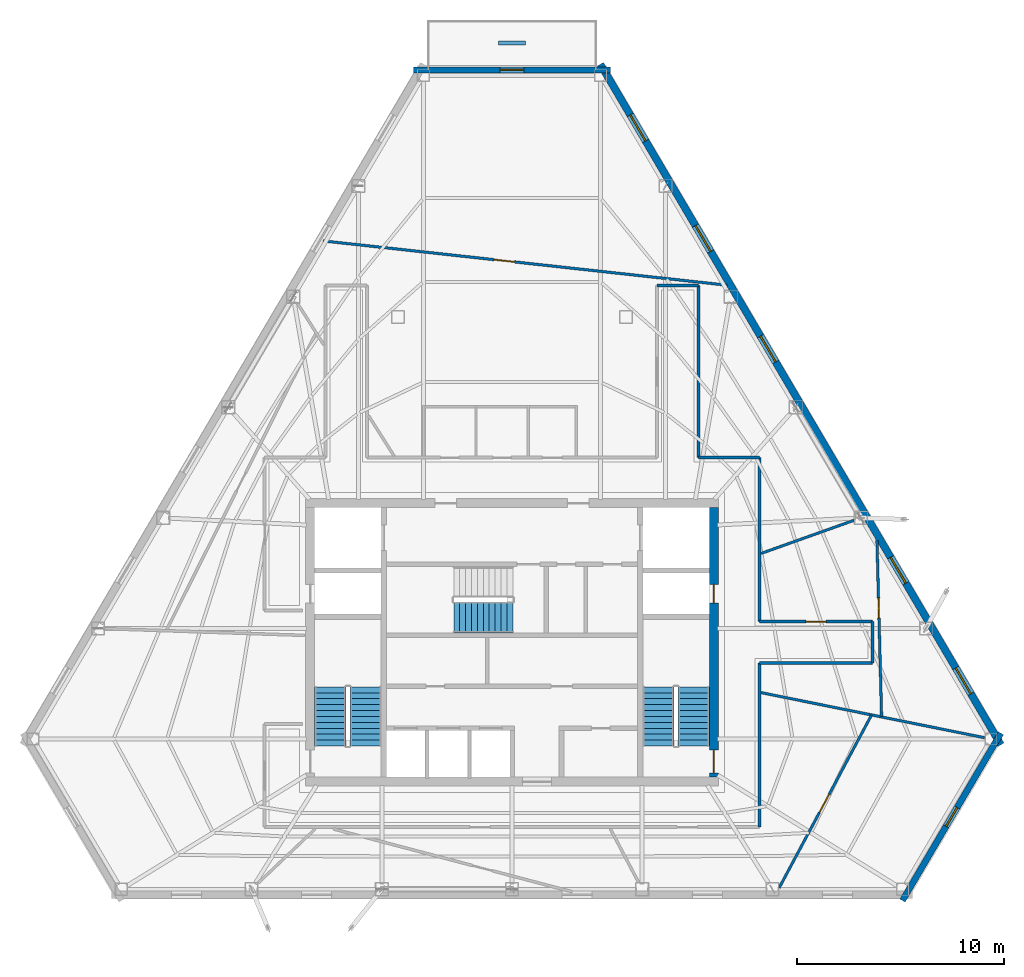
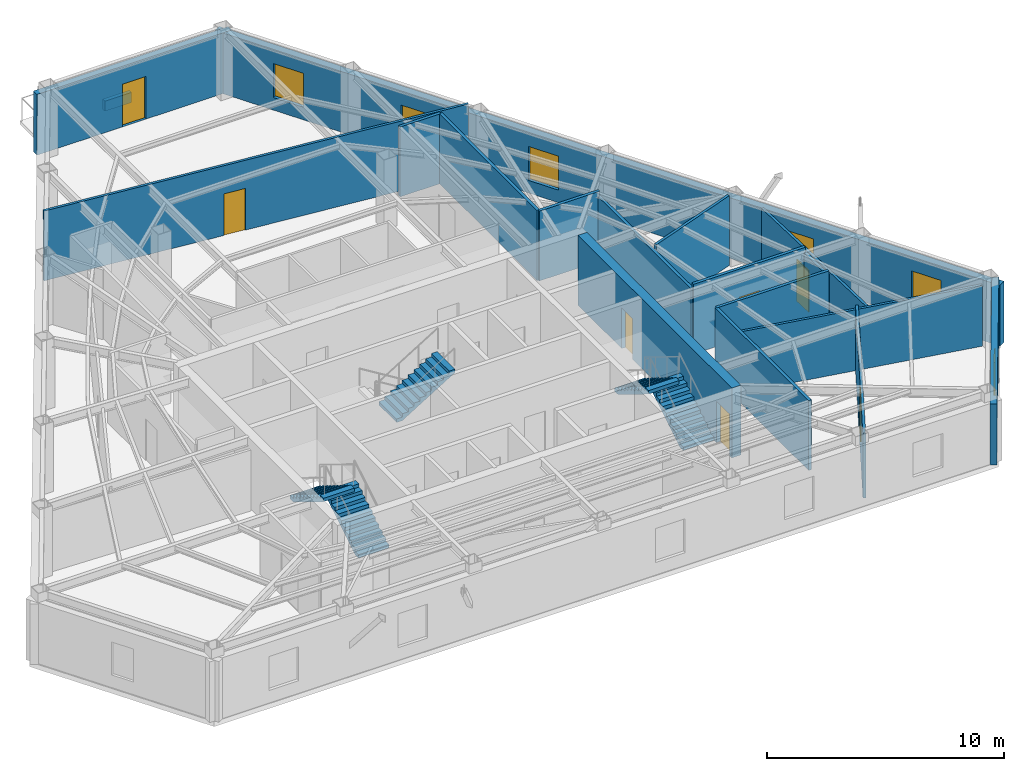
# One storey, part 9 of 12: 18 walls, 7 doors, 6 windows, 5 stair flights, 13 openings, 3 elements without a shape of their own.
"""IFC4 building model written with IfcOpenShell, lengths in metres."""

from ifc_helpers import new_model, si_unit, direction, frame, frame_2d, origin, place, context, subcontext, project, spatial, polyline, rectangle, outline, extrude, material, layer, layer_set, type_object, element, fill, aggregate, save


model = new_model("IFC4")

# Units and contexts
model_context = context("Model", 3, precision=1e-05, world=origin(), true_north=direction((0.0, 1.0)))
body_context = subcontext(model_context, "Body", "Model", "MODEL_VIEW")
ifc_project = project(units=[si_unit("LENGTHUNIT", "METRE"), si_unit("AREAUNIT", "SQUARE_METRE"), si_unit("VOLUMEUNIT", "CUBIC_METRE"), si_unit("PLANEANGLEUNIT", "RADIAN"), si_unit("MASSUNIT", "GRAM", prefix="KILO")], contexts=[model_context])

# Site, building, storey
site_placement = place(None, origin())
site = spatial("IfcSite", under=ifc_project, at=site_placement, CompositionType="ELEMENT")
building_placement = place(site_placement, origin())
building = spatial("IfcBuilding", under=site, at=building_placement, Name="Kavelnor Concourse Tower", CompositionType="ELEMENT")
storey_placement = place(building_placement, frame((0.0, 0.0, 203.5)))
storey = spatial("IfcBuildingStorey", under=building, at=storey_placement, Name="L51", CompositionType="ELEMENT", Elevation=203.5)

# Wall, openings, doors
ifc_material_1 = material(Name="Concrete C50/60", Category="concrete")
ifc_layer_1 = layer(ifc_material_1, 0.43994140625, Name="Concrete C50/60")
ifc_layer_set_1 = layer_set([ifc_layer_1], Name="Concrete C50/60")
wall_type_1 = type_object("IfcWallType", Name="WL-CORE-Z3-440", PredefinedType="SOLIDWALL", material=ifc_layer_set_1)
wall_1_placement = place(storey_placement, frame((47.739990234375, 9.60009765625, 0.0), z_axis=(0.0, 0.0, 1.0), x_axis=(0.0, 1.0, 0.0)))
wall_1 = element("IfcWall", 1, at=wall_1_placement, inside=storey, type_object=wall_type_1, Name="L51 Central Core East Shear Wall", PredefinedType="SOLIDWALL", context=body_context, shape_type="SweptSolid", body=[
    extrude(rectangle(XDim=13.0, YDim=0.43994140625, at=frame_2d((6.5, 0.0))), origin(), (0.0, 0.0, 1.0), 3.60009765625),
])
opening_1_placement = place(wall_1_placement, frame((0.199951171875, 0.0, 0.0)))
opening_1 = element("IfcOpeningElement", 2, at=opening_1_placement, cuts=wall_1, Name="Opening FD-110", PredefinedType="OPENING", context=body_context, shape_type="SweptSolid", body=[
    extrude(rectangle(XDim=1.10009765625, YDim=2.14990234375, at=frame_2d((0.550048828125, 1.074951171875))), frame((0.0, 0.22998046875, 0.0), z_axis=(0.0, -1.0, 0.0), x_axis=(1.0, 0.0, 0.0)), (0.0, 0.0, 1.0), 0.4599609375),
])
opening_2_placement = place(wall_1_placement, frame((8.39990234375, 0.0, 0.0)))
opening_2 = element("IfcOpeningElement", 3, at=opening_2_placement, cuts=wall_1, Name="Opening FD-090", PredefinedType="OPENING", context=body_context, shape_type="SweptSolid", body=[
    extrude(rectangle(XDim=0.89990234375, YDim=2.10009765625, at=frame_2d((0.449951171875, 1.050048828125))), frame((0.0, 0.22998046875, 0.0), z_axis=(0.0, -1.0, 0.0), x_axis=(1.0, 0.0, 0.0)), (0.0, 0.0, 1.0), 0.4599609375),
])
ifc_material_2 = material(Name="Steel Grade 350", Category="steel")
door_type_1 = type_object("IfcDoorType", Name="DR-RISER-FIRE-900", OperationType="NOTDEFINED", PredefinedType="DOOR", material=ifc_material_2)
door_1_placement = place(opening_2_placement, origin())
door_1 = element("IfcDoor", 4, at=door_1_placement, inside=storey, type_object=door_type_1, Name="L51 East Riser Access Door", OperationType="SINGLE_SWING_LEFT", OverallHeight=2.10009765625, OverallWidth=0.89990234375, PredefinedType="DOOR", context=body_context, shape_type="SweptSolid", body=[
    extrude(rectangle(XDim=0.89990234375, YDim=2.10009765625, at=frame_2d((0.449951171875, 1.050048828125))), frame((0.0, 0.02490234375, 0.0), z_axis=(0.0, -1.0, 0.0), x_axis=(1.0, 0.0, 0.0)), (0.0, 0.0, 1.0), 0.050048828125),
])
fill(opening_2, door_1)
door_type_2 = type_object("IfcDoorType", Name="DR-STAIR-FIRE-1100", OperationType="NOTDEFINED", PredefinedType="DOOR", material=ifc_material_2)
door_2_placement = place(opening_1_placement, origin())
door_2 = element("IfcDoor", 5, at=door_2_placement, inside=storey, type_object=door_type_2, Name="L51 Stair ST2 Fire Door", OperationType="SINGLE_SWING_RIGHT", OverallHeight=2.14990234375, OverallWidth=1.10009765625, PredefinedType="DOOR", context=body_context, shape_type="SweptSolid", body=[
    extrude(rectangle(XDim=1.10009765625, YDim=2.14990234375, at=frame_2d((0.550048828125, 1.074951171875))), frame((0.0, 0.02490234375, 0.0), z_axis=(0.0, -1.0, 0.0), x_axis=(1.0, 0.0, 0.0)), (0.0, 0.0, 1.0), 0.050048828125),
])
fill(opening_1, door_2)

# Wall, opening, door
ifc_material_3 = material(Name="Buff ironspot clay face brick masonry", Category="masonry")
ifc_layer_2 = layer(ifc_material_3, 0.300048828125, Name="Buff ironspot clay face brick masonry")
ifc_layer_set_2 = layer_set([ifc_layer_2], Name="Buff ironspot clay face brick masonry")
wall_type_2 = type_object("IfcWallType", Name="WL-EXT-BUFF-BRICK-FOLD-300", PredefinedType="STANDARD", material=ifc_layer_set_2)
wall_2_placement = place(storey_placement, frame((33.251220703125, 43.727783203125, 0.0), z_axis=(0.0, 0.0, 1.0), x_axis=(1.0, 0.0, 0.0)))
wall_2 = element("IfcWall", 6, at=wall_2_placement, inside=storey, type_object=wall_type_2, Name="L51 Exterior Brick Facade Wall E0", PredefinedType="STANDARD", context=body_context, shape_type="SweptSolid", body=[
    extrude(rectangle(XDim=9.49755859375, YDim=0.300048828125, at=frame_2d((4.748779296875, 0.0))), origin(), (0.0, 0.0, 1.0), 3.132080078125),
])
opening_3_placement = place(wall_2_placement, frame((4.173828125, 0.0, 0.0)))
opening_3 = element("IfcOpeningElement", 7, at=opening_3_placement, cuts=wall_2, Name="Opening TD-115", PredefinedType="OPENING", context=body_context, shape_type="SweptSolid", body=[
    extrude(rectangle(XDim=1.14990234375, YDim=2.199951171875, at=frame_2d((0.574951171875, 1.10009765625))), frame((0.0, 0.16015625, 0.0), z_axis=(0.0, -1.0, 0.0), x_axis=(1.0, 0.0, 0.0)), (0.0, 0.0, 1.0), 0.320068359375),
])
ifc_material_4 = material(Name="Anodised aluminium 6063-T6", Category="aluminium")
door_type_3 = type_object("IfcDoorType", Name="DR-TERRACE-EXT-1150", OperationType="NOTDEFINED", PredefinedType="DOOR", material=ifc_material_4)
door_3_placement = place(opening_3_placement, origin())
door_3 = element("IfcDoor", 8, at=door_3_placement, inside=storey, type_object=door_type_3, Name="L51 Spiral Sky Terrace Access Door", OperationType="SINGLE_SWING_RIGHT", OverallHeight=2.199951171875, OverallWidth=1.14990234375, PredefinedType="DOOR", context=body_context, shape_type="SweptSolid", body=[
    extrude(rectangle(XDim=1.14990234375, YDim=2.199951171875, at=frame_2d((0.574951171875, 1.10009765625))), frame((0.0, 0.02490234375, 0.0), z_axis=(0.0, -1.0, 0.0), x_axis=(1.0, 0.0, 0.0)), (0.0, 0.0, 1.0), 0.050048828125),
])
fill(opening_3, door_3)

# Wall, opening, window
wall_3_placement = place(storey_placement, frame((61.5947265625, 11.714599609375, 0.0), z_axis=(0.0, 0.0, 1.0), x_axis=(-0.507146520789, -0.861859853138, 0.0)))
wall_3 = element("IfcWall", 9, at=wall_3_placement, inside=storey, type_object=wall_type_2, Name="L51 Exterior Brick Facade Wall E4", PredefinedType="STANDARD", context=body_context, shape_type="SweptSolid", body=[
    extrude(rectangle(XDim=9.369384765625, YDim=0.300048828125, at=frame_2d((4.6845703125, 0.0))), origin(), (0.0, 0.0, 1.0), 3.132080078125),
])
opening_4_placement = place(wall_3_placement, frame((4.159912109375, 0.0, 0.64990234375)))
opening_4 = element("IfcOpeningElement", 10, at=opening_4_placement, cuts=wall_3, Name="Opening W-06", PredefinedType="OPENING", context=body_context, shape_type="SweptSolid", body=[
    extrude(rectangle(XDim=1.050048828125, YDim=1.699951171875, at=frame_2d((0.52490234375, 0.85009765625))), frame((0.0, 0.16015625, 0.0), z_axis=(0.0, -1.0, 0.0), x_axis=(1.0, 0.0, 0.0)), (0.0, 0.0, 1.0), 0.320068359375),
])
ifc_material_5 = material(Name="Double low-E argon insulated glazing", Category="glass")
window_type_1 = type_object("IfcWindowType", Name="WIN-FOLD-1050", PartitioningType="SINGLE_PANEL", PredefinedType="WINDOW", material=ifc_material_5)
window_1_placement = place(opening_4_placement, origin())
window_1 = element("IfcWindow", 11, at=window_1_placement, inside=storey, type_object=window_type_1, Name="L51 Chamfer-Fold Facet Window C2", OverallHeight=1.699951171875, OverallWidth=1.050048828125, PartitioningType="SINGLE_PANEL", PredefinedType="WINDOW", context=body_context, shape_type="SweptSolid", body=[
    extrude(rectangle(XDim=1.050048828125, YDim=1.699951171875, at=frame_2d((0.52490234375, 0.85009765625))), frame((0.0, 0.030029296875, 0.0), z_axis=(0.0, -1.0, 0.0), x_axis=(1.0, 0.0, 0.0)), (0.0, 0.0, 1.0), 0.06005859375),
])
fill(opening_4, window_1)

# Wall, openings, windows
ifc_material_6 = material(Name="Red-ochre clay face brick masonry", Category="masonry")
ifc_layer_3 = layer(ifc_material_6, 0.35009765625, Name="Red-ochre clay face brick masonry")
ifc_layer_set_3 = layer_set([ifc_layer_3], Name="Red-ochre clay face brick masonry")
wall_type_3 = type_object("IfcWallType", Name="WL-EXT-RED-BRICK-PIER-350", PredefinedType="STANDARD", material=ifc_layer_set_3)
wall_4_placement = place(storey_placement, frame((42.2666015625, 44.003662109375, 0.0), z_axis=(0.0, 0.0, 1.0), x_axis=(0.507147779291, -0.861859112593, 0.0)))
wall_4 = element("IfcWall", 12, at=wall_4_placement, inside=storey, type_object=wall_type_3, Name="L51 Exterior Brick Facade Wall E5", PredefinedType="STANDARD", context=body_context, shape_type="SweptSolid", body=[
    extrude(rectangle(XDim=38.111328125, YDim=0.35009765625, at=frame_2d((19.0556640625, 0.0))), origin(), (0.0, 0.0, 1.0), 3.132080078125),
])
opening_5_placement = place(wall_4_placement, frame((33.807861328125, 0.0, 0.64990234375)))
opening_5 = element("IfcOpeningElement", 13, at=opening_5_placement, cuts=wall_4, Name="Opening W-03", PredefinedType="OPENING", context=body_context, shape_type="SweptSolid", body=[
    extrude(rectangle(XDim=1.449951171875, YDim=1.75, at=frame_2d((0.72509765625, 0.875))), frame((0.0, 0.18505859375, 0.0), z_axis=(0.0, -1.0, 0.0), x_axis=(1.0, 0.0, 0.0)), (0.0, 0.0, 1.0), 0.3701171875),
])
opening_6_placement = place(wall_4_placement, frame((27.615478515625, 0.0, 0.64990234375)))
opening_6 = element("IfcOpeningElement", 14, at=opening_6_placement, cuts=wall_4, Name="Opening W-03", PredefinedType="OPENING", context=body_context, shape_type="SweptSolid", body=[
    extrude(rectangle(XDim=1.449951171875, YDim=1.75, at=frame_2d((0.72509765625, 0.875))), frame((0.0, 0.18505859375, 0.0), z_axis=(0.0, -1.0, 0.0), x_axis=(1.0, 0.0, 0.0)), (0.0, 0.0, 1.0), 0.3701171875),
])
opening_7_placement = place(wall_4_placement, frame((15.230712890625, 0.0, 0.64990234375)))
opening_7 = element("IfcOpeningElement", 15, at=opening_7_placement, cuts=wall_4, Name="Opening W-03", PredefinedType="OPENING", context=body_context, shape_type="SweptSolid", body=[
    extrude(rectangle(XDim=1.449951171875, YDim=1.75, at=frame_2d((0.72509765625, 0.875))), frame((0.0, 0.18505859375, 0.0), z_axis=(0.0, -1.0, 0.0), x_axis=(1.0, 0.0, 0.0)), (0.0, 0.0, 1.0), 0.3701171875),
])
opening_8_placement = place(wall_4_placement, frame((9.0380859375, 0.0, 0.64990234375)))
opening_8 = element("IfcOpeningElement", 16, at=opening_8_placement, cuts=wall_4, Name="Opening W-03", PredefinedType="OPENING", context=body_context, shape_type="SweptSolid", body=[
    extrude(rectangle(XDim=1.449951171875, YDim=1.75, at=frame_2d((0.72509765625, 0.875))), frame((0.0, 0.18505859375, 0.0), z_axis=(0.0, -1.0, 0.0), x_axis=(1.0, 0.0, 0.0)), (0.0, 0.0, 1.0), 0.3701171875),
])
opening_9_placement = place(wall_4_placement, frame((2.845703125, 0.0, 0.64990234375)))
opening_9 = element("IfcOpeningElement", 17, at=opening_9_placement, cuts=wall_4, Name="Opening W-03", PredefinedType="OPENING", context=body_context, shape_type="SweptSolid", body=[
    extrude(rectangle(XDim=1.449951171875, YDim=1.75, at=frame_2d((0.72509765625, 0.875))), frame((0.0, 0.18505859375, 0.0), z_axis=(0.0, -1.0, 0.0), x_axis=(1.0, 0.0, 0.0)), (0.0, 0.0, 1.0), 0.3701171875),
])
window_type_2 = type_object("IfcWindowType", Name="WIN-PIER-Z3-1500", PartitioningType="SINGLE_PANEL", PredefinedType="WINDOW", material=ifc_material_5)
window_2_placement = place(opening_5_placement, origin())
window_2 = element("IfcWindow", 18, at=window_2_placement, inside=storey, type_object=window_type_2, Name="L51 Deep-Set Brick Pier Window F2-B0", OverallHeight=1.75, OverallWidth=1.449951171875, PartitioningType="SINGLE_PANEL", PredefinedType="WINDOW", context=body_context, shape_type="SweptSolid", body=[
    extrude(rectangle(XDim=1.449951171875, YDim=1.75, at=frame_2d((0.72509765625, 0.875))), frame((0.0, 0.030029296875, 0.0), z_axis=(0.0, -1.0, 0.0), x_axis=(1.0, 0.0, 0.0)), (0.0, 0.0, 1.0), 0.06005859375),
])
fill(opening_5, window_2)
window_3_placement = place(opening_6_placement, origin())
window_3 = element("IfcWindow", 19, at=window_3_placement, inside=storey, type_object=window_type_2, Name="L51 Deep-Set Brick Pier Window F2-B1", OverallHeight=1.75, OverallWidth=1.449951171875, PartitioningType="SINGLE_PANEL", PredefinedType="WINDOW", context=body_context, shape_type="SweptSolid", body=[
    extrude(rectangle(XDim=1.449951171875, YDim=1.75, at=frame_2d((0.72509765625, 0.875))), frame((0.0, 0.030029296875, 0.0), z_axis=(0.0, -1.0, 0.0), x_axis=(1.0, 0.0, 0.0)), (0.0, 0.0, 1.0), 0.06005859375),
])
fill(opening_6, window_3)
window_4_placement = place(opening_7_placement, origin())
window_4 = element("IfcWindow", 20, at=window_4_placement, inside=storey, type_object=window_type_2, Name="L51 Deep-Set Brick Pier Window F2-B3", OverallHeight=1.75, OverallWidth=1.449951171875, PartitioningType="SINGLE_PANEL", PredefinedType="WINDOW", context=body_context, shape_type="SweptSolid", body=[
    extrude(rectangle(XDim=1.449951171875, YDim=1.75, at=frame_2d((0.72509765625, 0.875))), frame((0.0, 0.030029296875, 0.0), z_axis=(0.0, -1.0, 0.0), x_axis=(1.0, 0.0, 0.0)), (0.0, 0.0, 1.0), 0.06005859375),
])
fill(opening_7, window_4)
window_5_placement = place(opening_8_placement, origin())
window_5 = element("IfcWindow", 21, at=window_5_placement, inside=storey, type_object=window_type_2, Name="L51 Deep-Set Brick Pier Window F2-B4", OverallHeight=1.75, OverallWidth=1.449951171875, PartitioningType="SINGLE_PANEL", PredefinedType="WINDOW", context=body_context, shape_type="SweptSolid", body=[
    extrude(rectangle(XDim=1.449951171875, YDim=1.75, at=frame_2d((0.72509765625, 0.875))), frame((0.0, 0.030029296875, 0.0), z_axis=(0.0, -1.0, 0.0), x_axis=(1.0, 0.0, 0.0)), (0.0, 0.0, 1.0), 0.06005859375),
])
fill(opening_8, window_5)
window_6_placement = place(opening_9_placement, origin())
window_6 = element("IfcWindow", 22, at=window_6_placement, inside=storey, type_object=window_type_2, Name="L51 Deep-Set Brick Pier Window F2-B5", OverallHeight=1.75, OverallWidth=1.449951171875, PartitioningType="SINGLE_PANEL", PredefinedType="WINDOW", context=body_context, shape_type="SweptSolid", body=[
    extrude(rectangle(XDim=1.449951171875, YDim=1.75, at=frame_2d((0.72509765625, 0.875))), frame((0.0, 0.030029296875, 0.0), z_axis=(0.0, -1.0, 0.0), x_axis=(1.0, 0.0, 0.0)), (0.0, 0.0, 1.0), 0.06005859375),
])
fill(opening_9, window_6)

# Walls
ifc_material_7 = material(Name="Gypsum plasterboard on light-gauge steel studs", Category="steel")
ifc_layer_4 = layer(ifc_material_7, 0.14501953125, Name="Gypsum plasterboard on light-gauge steel studs")
ifc_layer_set_4 = layer_set([ifc_layer_4], Name="Gypsum plasterboard on light-gauge steel studs")
wall_type_4 = type_object("IfcWallType", Name="WL-INT-CORR-145", PredefinedType="PARTITIONING", material=ifc_layer_set_4)
wall_5_placement = place(storey_placement, frame((45.0, 33.324462890625, 0.0), z_axis=(0.0, 0.0, 1.0), x_axis=(1.0, 0.0, 0.0)))
element("IfcWall", 23, at=wall_5_placement, inside=storey, type_object=wall_type_4, Name="L51 Corridor Wall WL-L51-CR-09", PredefinedType="PARTITIONING", context=body_context, shape_type="SweptSolid", body=[
    extrude(rectangle(XDim=2.0, YDim=0.14501953125, at=frame_2d((1.0, 0.0))), origin(), (0.0, 0.0, 1.0), 3.60009765625),
])
wall_6_placement = place(storey_placement, frame((47.0, 33.324462890625, 0.0), z_axis=(0.0, 0.0, 1.0), x_axis=(0.0, -1.0, 0.0)))
element("IfcWall", 24, at=wall_6_placement, inside=storey, type_object=wall_type_4, Name="L51 Corridor Wall WL-L51-CR-10", PredefinedType="PARTITIONING", context=body_context, shape_type="SweptSolid", body=[
    extrude(rectangle(XDim=8.304443359375, YDim=0.14501953125, at=frame_2d((4.15234375, 0.0))), origin(), (0.0, 0.0, 1.0), 3.60009765625),
])
wall_7_placement = place(storey_placement, frame((47.0, 25.02001953125, 0.0), z_axis=(0.0, 0.0, 1.0), x_axis=(1.0, 0.0, 0.0)))
element("IfcWall", 25, at=wall_7_placement, inside=storey, type_object=wall_type_4, Name="L51 Corridor Wall WL-L51-CR-11", PredefinedType="PARTITIONING", context=body_context, shape_type="SweptSolid", body=[
    extrude(rectangle(XDim=2.93994140625, YDim=0.14501953125, at=frame_2d((1.469970703125, 0.0))), origin(), (0.0, 0.0, 1.0), 3.60009765625),
])
wall_8_placement = place(storey_placement, frame((49.93994140625, 25.02001953125, 0.0), z_axis=(0.0, 0.0, 1.0), x_axis=(0.0, -1.0, 0.0)))
element("IfcWall", 26, at=wall_8_placement, inside=storey, type_object=wall_type_4, Name="L51 Corridor Wall WL-L51-CR-12", PredefinedType="PARTITIONING", context=body_context, shape_type="SweptSolid", body=[
    extrude(rectangle(XDim=7.919921875, YDim=0.14501953125, at=frame_2d((3.9599609375, 0.0))), origin(), (0.0, 0.0, 1.0), 3.339111328125),
])

# Wall, opening, door
wall_9_placement = place(storey_placement, frame((49.93994140625, 17.10009765625, 0.0), z_axis=(0.0, 0.0, 1.0), x_axis=(1.0, 0.0, 0.0)))
wall_9 = element("IfcWall", 27, at=wall_9_placement, inside=storey, type_object=wall_type_4, Name="L51 Corridor Wall WL-L51-CR-13", PredefinedType="PARTITIONING", context=body_context, shape_type="SweptSolid", body=[
    extrude(rectangle(XDim=5.4599609375, YDim=0.14501953125, at=frame_2d((2.72998046875, 0.0))), origin(), (0.0, 0.0, 1.0), 3.60009765625),
])
opening_10_placement = place(wall_9_placement, frame((2.239990234375, 0.0, 0.0)))
opening_10 = element("IfcOpeningElement", 28, at=opening_10_placement, cuts=wall_9, Name="Opening OD-098", PredefinedType="OPENING", context=body_context, shape_type="SweptSolid", body=[
    extrude(rectangle(XDim=0.97998046875, YDim=2.14990234375, at=frame_2d((0.489990234375, 1.074951171875))), frame((0.0, 0.08251953125, 0.0), z_axis=(0.0, -1.0, 0.0), x_axis=(1.0, 0.0, 0.0)), (0.0, 0.0, 1.0), 0.1650390625),
])
ifc_material_8 = material(Name="Solid-core hardwood timber", Category="wood")
door_type_4 = type_object("IfcDoorType", Name="DR-OFFICE-980", OperationType="NOTDEFINED", PredefinedType="DOOR", material=ifc_material_8)
door_4_placement = place(opening_10_placement, origin())
door_4 = element("IfcDoor", 29, at=door_4_placement, inside=storey, type_object=door_type_4, Name="L51 Client Concierge 01 Door", OperationType="SINGLE_SWING_LEFT", OverallHeight=2.14990234375, OverallWidth=0.97998046875, PredefinedType="DOOR", context=body_context, shape_type="SweptSolid", body=[
    extrude(rectangle(XDim=0.97998046875, YDim=2.14990234375, at=frame_2d((0.489990234375, 1.074951171875))), frame((0.0, 0.02490234375, 0.0), z_axis=(0.0, -1.0, 0.0), x_axis=(1.0, 0.0, 0.0)), (0.0, 0.0, 1.0), 0.050048828125),
])
fill(opening_10, door_4)

# Walls
wall_10_placement = place(storey_placement, frame((55.39990234375, 17.10009765625, 0.0), z_axis=(0.0, 0.0, 1.0), x_axis=(0.0, -1.0, 0.0)))
element("IfcWall", 30, at=wall_10_placement, inside=storey, type_object=wall_type_4, Name="L51 Corridor Wall WL-L51-CR-14", PredefinedType="PARTITIONING", context=body_context, shape_type="SweptSolid", body=[
    extrude(rectangle(XDim=2.0, YDim=0.14501953125, at=frame_2d((1.0, 0.0))), origin(), (0.0, 0.0, 1.0), 3.339111328125),
])
wall_11_placement = place(storey_placement, frame((55.39990234375, 15.10009765625, 0.0), z_axis=(0.0, 0.0, 1.0), x_axis=(-1.0, 0.0, 0.0)))
element("IfcWall", 31, at=wall_11_placement, inside=storey, type_object=wall_type_4, Name="L51 Corridor Wall WL-L51-CR-15", PredefinedType="PARTITIONING", context=body_context, shape_type="SweptSolid", body=[
    extrude(rectangle(XDim=5.4599609375, YDim=0.14501953125, at=frame_2d((2.72998046875, 0.0))), origin(), (0.0, 0.0, 1.0), 3.60009765625),
])
wall_12_placement = place(storey_placement, frame((49.93994140625, 15.10009765625, 0.0), z_axis=(0.0, 0.0, 1.0), x_axis=(0.0, -1.0, 0.0)))
element("IfcWall", 32, at=wall_12_placement, inside=storey, type_object=wall_type_4, Name="L51 Corridor Wall WL-L51-CR-16", PredefinedType="PARTITIONING", context=body_context, shape_type="SweptSolid", body=[
    extrude(rectangle(XDim=7.920166015625, YDim=0.14501953125, at=frame_2d((3.9599609375, 0.0))), origin(), (0.0, 0.0, 1.0), 3.60009765625),
])
ifc_layer_5 = layer(ifc_material_7, 0.125, Name="Gypsum plasterboard on light-gauge steel studs")
ifc_layer_set_5 = layer_set([ifc_layer_5], Name="Gypsum plasterboard on light-gauge steel studs")
wall_type_5 = type_object("IfcWallType", Name="WL-INT-SUITE-125", PredefinedType="PARTITIONING", material=ifc_layer_set_5)
wall_13_placement = place(storey_placement, frame((50.0205078125, 20.390625, 0.0), z_axis=(0.0, 0.0, 1.0), x_axis=(0.941790585993, 0.336200077537, 0.0)))
element("IfcWall", 33, at=wall_13_placement, inside=storey, type_object=wall_type_5, Name="L51 Radial Suite Partition 01", PredefinedType="PARTITIONING", context=body_context, shape_type="SweptSolid", body=[
    extrude(rectangle(XDim=4.76513671875, YDim=0.125, at=frame_2d((2.382568359375, 0.0))), origin(), (0.0, 0.0, 1.0), 3.60009765625),
])
wall_14_placement = place(storey_placement, frame((50.0205078125, 13.6748046875, 0.0), z_axis=(0.0, 0.0, 1.0), x_axis=(0.980243093282, -0.197796557281, 0.0)))
element("IfcWall", 34, at=wall_14_placement, inside=storey, type_object=wall_type_5, Name="L51 Radial Suite Partition 06", PredefinedType="PARTITIONING", context=body_context, shape_type="SweptSolid", body=[
    extrude(rectangle(XDim=11.00634765625, YDim=0.125, at=frame_2d((5.503173828125, 0.0))), origin(), (0.0, 0.0, 1.0), 3.14111328125),
])

# Wall, opening, door
wall_15_placement = place(storey_placement, frame((55.83740234375, 12.516357421875, 0.0), z_axis=(0.0, 0.0, 1.0), x_axis=(-0.026217670577, 0.999656257795, 0.0)))
wall_15 = element("IfcWall", 35, at=wall_15_placement, inside=storey, type_object=wall_type_5, Name="L51 Suite Subdivision Partition 01", PredefinedType="PARTITIONING", context=body_context, shape_type="SweptSolid", body=[
    extrude(rectangle(XDim=8.51123046875, YDim=0.125, at=frame_2d((4.255615234375, 0.0))), origin(), (0.0, 0.0, 1.0), 3.135009765625),
])
opening_11_placement = place(wall_15_placement, frame((4.751953125, 0.0, 0.0)))
opening_11 = element("IfcOpeningElement", 36, at=opening_11_placement, cuts=wall_15, Name="Opening OD-098", PredefinedType="OPENING", context=body_context, shape_type="SweptSolid", body=[
    extrude(rectangle(XDim=0.97998046875, YDim=2.14990234375, at=frame_2d((0.489990234375, 1.074951171875))), frame((0.0, 0.072509765625, 0.0), z_axis=(0.0, -1.0, 0.0), x_axis=(1.0, 0.0, 0.0)), (0.0, 0.0, 1.0), 0.14501953125),
])
door_5_placement = place(opening_11_placement, origin())
door_5 = element("IfcDoor", 37, at=door_5_placement, inside=storey, type_object=door_type_4, Name="L51 Technical Reference Library 02 Door", OperationType="SINGLE_SWING_RIGHT", OverallHeight=2.14990234375, OverallWidth=0.97998046875, PredefinedType="DOOR", context=body_context, shape_type="SweptSolid", body=[
    extrude(rectangle(XDim=0.97998046875, YDim=2.14990234375, at=frame_2d((0.489990234375, 1.074951171875))), frame((0.0, 0.02490234375, 0.0), z_axis=(0.0, -1.0, 0.0), x_axis=(1.0, 0.0, 0.0)), (0.0, 0.0, 1.0), 0.050048828125),
])
fill(opening_11, door_5)

wall_16_placement = place(storey_placement, frame((48.367919921875, 33.3388671875, 0.0), z_axis=(0.0, 0.0, 1.0), x_axis=(-0.994040131704, 0.109014753872, 0.0)))
wall_16 = element("IfcWall", 38, at=wall_16_placement, inside=storey, type_object=wall_type_5, Name="L51 Suite Subdivision Partition 02", PredefinedType="PARTITIONING", context=body_context, shape_type="SweptSolid", body=[
    extrude(rectangle(XDim=19.595703125, YDim=0.125, at=frame_2d((9.7978515625, 0.0))), origin(), (0.0, 0.0, 1.0), 3.60009765625),
])
opening_12_placement = place(wall_16_placement, frame((10.30859375, 0.0, 0.0)))
opening_12 = element("IfcOpeningElement", 39, at=opening_12_placement, cuts=wall_16, Name="Opening OD-098", PredefinedType="OPENING", context=body_context, shape_type="SweptSolid", body=[
    extrude(rectangle(XDim=0.97998046875, YDim=2.14990234375, at=frame_2d((0.489990234375, 1.074951171875))), frame((0.0, 0.072509765625, 0.0), z_axis=(0.0, -1.0, 0.0), x_axis=(1.0, 0.0, 0.0)), (0.0, 0.0, 1.0), 0.14501953125),
])
door_6_placement = place(opening_12_placement, origin())
door_6 = element("IfcDoor", 40, at=door_6_placement, inside=storey, type_object=door_type_4, Name="L51 Client Concierge 04 Door", OperationType="SINGLE_SWING_RIGHT", OverallHeight=2.14990234375, OverallWidth=0.97998046875, PredefinedType="DOOR", context=body_context, shape_type="SweptSolid", body=[
    extrude(rectangle(XDim=0.97998046875, YDim=2.14990234375, at=frame_2d((0.489990234375, 1.074951171875))), frame((0.0, 0.02490234375, 0.0), z_axis=(0.0, -1.0, 0.0), x_axis=(1.0, 0.0, 0.0)), (0.0, 0.0, 1.0), 0.050048828125),
])
fill(opening_12, door_6)

wall_17_placement = place(storey_placement, frame((50.895263671875, 4.254150390625, 0.0), z_axis=(0.0, 0.0, 1.0), x_axis=(0.471344688788, 0.88194908263, 0.0)))
wall_17 = element("IfcWall", 41, at=wall_17_placement, inside=storey, type_object=wall_type_5, Name="L51 Suite Subdivision Partition 06", PredefinedType="PARTITIONING", context=body_context, shape_type="SweptSolid", body=[
    extrude(rectangle(XDim=9.445556640625, YDim=0.125, at=frame_2d((4.72265625, 0.0))), origin(), (0.0, 0.0, 1.0), 3.339111328125),
])
opening_13_placement = place(wall_17_placement, frame((4.12451171875, 0.0, 0.0)))
opening_13 = element("IfcOpeningElement", 42, at=opening_13_placement, cuts=wall_17, Name="Opening OD-098", PredefinedType="OPENING", context=body_context, shape_type="SweptSolid", body=[
    extrude(rectangle(XDim=0.97998046875, YDim=2.14990234375, at=frame_2d((0.489990234375, 1.074951171875))), frame((0.0, 0.072509765625, 0.0), z_axis=(0.0, -1.0, 0.0), x_axis=(1.0, 0.0, 0.0)), (0.0, 0.0, 1.0), 0.14501953125),
])
door_7_placement = place(opening_13_placement, origin())
door_7 = element("IfcDoor", 43, at=door_7_placement, inside=storey, type_object=door_type_4, Name="L51 Building Staff Breakroom 11 Door", OperationType="SINGLE_SWING_LEFT", OverallHeight=2.14990234375, OverallWidth=0.97998046875, PredefinedType="DOOR", context=body_context, shape_type="SweptSolid", body=[
    extrude(rectangle(XDim=0.97998046875, YDim=2.14990234375, at=frame_2d((0.489990234375, 1.074951171875))), frame((0.0, 0.02490234375, 0.0), z_axis=(0.0, -1.0, 0.0), x_axis=(1.0, 0.0, 0.0)), (0.0, 0.0, 1.0), 0.050048828125),
])
fill(opening_13, door_7)

# Wall
ifc_material_9 = material(Name="Architectural precast planter concrete C40/50", Category="concrete")
ifc_layer_6 = layer(ifc_material_9, 0.18994140625, Name="Architectural precast planter concrete C40/50")
ifc_layer_set_6 = layer_set([ifc_layer_6], Name="Architectural precast planter concrete C40/50")
wall_type_6 = type_object("IfcWallType", Name="WL-PLANTER-KERB-190", PredefinedType="USERDEFINED", material=ifc_layer_set_6)
wall_18_placement = place(storey_placement, frame((38.64990234375, 45.03759765625, 0.0), z_axis=(0.0, 0.0, 1.0), x_axis=(-1.0, 0.0, 0.0)))
element("IfcWall", 44, at=wall_18_placement, inside=storey, type_object=wall_type_6, Name="L51 Spiral Terrace Landscaped Planter Kerb", ObjectType="PLANTER", PredefinedType="USERDEFINED", context=body_context, shape_type="SweptSolid", body=[
    extrude(rectangle(XDim=1.2998046875, YDim=0.18994140625, at=frame_2d((0.64990234375, 0.0))), origin(), (0.0, 0.0, 1.0), 0.52001953125),
])

# Stair, stair flights
ifc_material_10 = material(Name="Concrete C40/50", Category="concrete")
stair_type = type_object("IfcStairType", Name="STR-CORE-1500", PredefinedType="HALF_TURN_STAIR", material=ifc_material_10)
stair_1_placement = place(storey_placement, origin())
stair_1 = element("IfcStair", 45, at=stair_1_placement, inside=storey, type_object=stair_type, Name="L51 ST1", PredefinedType="HALF_TURN_STAIR")
stair_flight_type = type_object("IfcStairFlightType", Name="STR-FLIGHT-1500", PredefinedType="STRAIGHT", material=ifc_material_10)
stair_flight_1_placement = place(storey_placement, frame((30.929931640625, 11.10009765625, 0.0), z_axis=(0.0, 0.0, 1.0), x_axis=(0.0, 1.0, 0.0)))
stair_flight_1 = element("IfcStairFlight", 46, at=stair_flight_1_placement, type_object=stair_flight_type, Name="ST1 flight 1", NumberOfRisers=11, NumberOfTreads=10, PredefinedType="STRAIGHT", RiserHeight=0.175, TreadLength=0.285, context=body_context, shape_type="SweptSolid", body=[
    extrude(outline(polyline([(0.0, 0.0), (0.0, 0.175048828125), (0.284912109375, 0.175048828125), (0.284912109375, 0.35009765625), (0.570068359375, 0.35009765625), (0.570068359375, 0.52490234375), (0.85498046875, 0.52490234375), (0.85498046875, 0.699951171875), (1.139892578125, 0.699951171875), (1.139892578125, 0.875), (1.425048828125, 0.875), (1.425048828125, 1.050048828125), (1.7099609375, 1.050048828125), (1.7099609375, 1.22509765625), (1.9951171875, 1.22509765625), (1.9951171875, 1.39990234375), (2.280029296875, 1.39990234375), (2.280029296875, 1.574951171875), (2.56494140625, 1.574951171875), (2.56494140625, 1.75), (2.85009765625, 1.75), (2.85009765625, 1.925048828125), (2.85009765625, 1.573974609375), (0.286376953125, 0.0), (0.0, 0.0)])), frame((0.0, 0.75, 0.0), z_axis=(0.0, -1.0, 0.0), x_axis=(1.0, 0.0, 0.0)), (0.0, 0.0, 1.0), 1.5),
])
stair_flight_2_placement = place(storey_placement, frame((29.22998046875, 13.949951171875, 1.925048828125), z_axis=(0.0, 0.0, 1.0), x_axis=(0.0, -1.0, 0.0)))
stair_flight_2 = element("IfcStairFlight", 47, at=stair_flight_2_placement, type_object=stair_flight_type, Name="ST1 flight 2", NumberOfRisers=11, NumberOfTreads=10, PredefinedType="STRAIGHT", RiserHeight=0.175, TreadLength=0.285, context=body_context, shape_type="SweptSolid", body=[
    extrude(outline(polyline([(0.0, 0.0), (0.0, 0.175048828125), (0.284912109375, 0.175048828125), (0.284912109375, 0.35009765625), (0.570068359375, 0.35009765625), (0.570068359375, 0.52490234375), (0.85498046875, 0.52490234375), (0.85498046875, 0.699951171875), (1.139892578125, 0.699951171875), (1.139892578125, 0.875), (1.425048828125, 0.875), (1.425048828125, 1.050048828125), (1.7099609375, 1.050048828125), (1.7099609375, 1.22509765625), (1.9951171875, 1.22509765625), (1.9951171875, 1.39990234375), (2.280029296875, 1.39990234375), (2.280029296875, 1.574951171875), (2.56494140625, 1.574951171875), (2.56494140625, 1.75), (2.85009765625, 1.75), (2.85009765625, 1.925048828125), (2.85009765625, 1.573974609375), (0.286376953125, 0.0), (0.0, 0.0)])), frame((0.0, 0.75, 0.0), z_axis=(0.0, -1.0, 0.0), x_axis=(1.0, 0.0, 0.0)), (0.0, 0.0, 1.0), 1.5),
])
aggregate(stair_1, [stair_flight_1, stair_flight_2])

stair_2_placement = place(storey_placement, origin())
stair_2 = element("IfcStair", 48, at=stair_2_placement, inside=storey, type_object=stair_type, Name="L51 ST2", PredefinedType="HALF_TURN_STAIR")
stair_flight_3_placement = place(storey_placement, frame((46.77001953125, 11.10009765625, 0.0), z_axis=(0.0, 0.0, 1.0), x_axis=(0.0, 1.0, 0.0)))
stair_flight_3 = element("IfcStairFlight", 49, at=stair_flight_3_placement, type_object=stair_flight_type, Name="ST2 flight 1", NumberOfRisers=11, NumberOfTreads=10, PredefinedType="STRAIGHT", RiserHeight=0.175, TreadLength=0.285, context=body_context, shape_type="SweptSolid", body=[
    extrude(outline(polyline([(0.0, 0.0), (0.0, 0.175048828125), (0.284912109375, 0.175048828125), (0.284912109375, 0.35009765625), (0.570068359375, 0.35009765625), (0.570068359375, 0.52490234375), (0.85498046875, 0.52490234375), (0.85498046875, 0.699951171875), (1.139892578125, 0.699951171875), (1.139892578125, 0.875), (1.425048828125, 0.875), (1.425048828125, 1.050048828125), (1.7099609375, 1.050048828125), (1.7099609375, 1.22509765625), (1.9951171875, 1.22509765625), (1.9951171875, 1.39990234375), (2.280029296875, 1.39990234375), (2.280029296875, 1.574951171875), (2.56494140625, 1.574951171875), (2.56494140625, 1.75), (2.85009765625, 1.75), (2.85009765625, 1.925048828125), (2.85009765625, 1.573974609375), (0.286376953125, 0.0), (0.0, 0.0)])), frame((0.0, 0.75, 0.0), z_axis=(0.0, -1.0, 0.0), x_axis=(1.0, 0.0, 0.0)), (0.0, 0.0, 1.0), 1.5),
])
stair_flight_4_placement = place(storey_placement, frame((45.070068359375, 13.949951171875, 1.925048828125), z_axis=(0.0, 0.0, 1.0), x_axis=(0.0, -1.0, 0.0)))
stair_flight_4 = element("IfcStairFlight", 50, at=stair_flight_4_placement, type_object=stair_flight_type, Name="ST2 flight 2", NumberOfRisers=11, NumberOfTreads=10, PredefinedType="STRAIGHT", RiserHeight=0.175, TreadLength=0.285, context=body_context, shape_type="SweptSolid", body=[
    extrude(outline(polyline([(0.0, 0.0), (0.0, 0.175048828125), (0.284912109375, 0.175048828125), (0.284912109375, 0.35009765625), (0.570068359375, 0.35009765625), (0.570068359375, 0.52490234375), (0.85498046875, 0.52490234375), (0.85498046875, 0.699951171875), (1.139892578125, 0.699951171875), (1.139892578125, 0.875), (1.425048828125, 0.875), (1.425048828125, 1.050048828125), (1.7099609375, 1.050048828125), (1.7099609375, 1.22509765625), (1.9951171875, 1.22509765625), (1.9951171875, 1.39990234375), (2.280029296875, 1.39990234375), (2.280029296875, 1.574951171875), (2.56494140625, 1.574951171875), (2.56494140625, 1.75), (2.85009765625, 1.75), (2.85009765625, 1.925048828125), (2.85009765625, 1.573974609375), (0.286376953125, 0.0), (0.0, 0.0)])), frame((0.0, 0.75, 0.0), z_axis=(0.0, -1.0, 0.0), x_axis=(1.0, 0.0, 0.0)), (0.0, 0.0, 1.0), 1.5),
])
aggregate(stair_2, [stair_flight_3, stair_flight_4])

# Stair, stair flight
stair_3_placement = place(storey_placement, origin())
stair_3 = element("IfcStair", 51, at=stair_3_placement, inside=storey, type_object=stair_type, Name="L51 ST3", PredefinedType="HALF_TURN_STAIR")
stair_flight_5_placement = place(storey_placement, frame((35.18994140625, 17.31005859375, 1.925048828125), z_axis=(0.0, 0.0, 1.0), x_axis=(1.0, 0.0, 0.0)))
stair_flight_5 = element("IfcStairFlight", 52, at=stair_flight_5_placement, type_object=stair_flight_type, Name="ST3 flight 2", NumberOfRisers=11, NumberOfTreads=10, PredefinedType="STRAIGHT", RiserHeight=0.175, TreadLength=0.285, context=body_context, shape_type="SweptSolid", body=[
    extrude(outline(polyline([(0.0, 0.0), (0.0, 0.175048828125), (0.284912109375, 0.175048828125), (0.284912109375, 0.35009765625), (0.570068359375, 0.35009765625), (0.570068359375, 0.52490234375), (0.85498046875, 0.52490234375), (0.85498046875, 0.699951171875), (1.139892578125, 0.699951171875), (1.139892578125, 0.875), (1.425048828125, 0.875), (1.425048828125, 1.050048828125), (1.7099609375, 1.050048828125), (1.7099609375, 1.22509765625), (1.9951171875, 1.22509765625), (1.9951171875, 1.39990234375), (2.280029296875, 1.39990234375), (2.280029296875, 1.574951171875), (2.56494140625, 1.574951171875), (2.56494140625, 1.75), (2.85009765625, 1.75), (2.85009765625, 1.925048828125), (2.85009765625, 1.573974609375), (0.286376953125, 0.0), (0.0, 0.0)])), frame((0.0, 0.75, 0.0), z_axis=(0.0, -1.0, 0.0), x_axis=(1.0, 0.0, 0.0)), (0.0, 0.0, 1.0), 1.5),
])
aggregate(stair_3, [stair_flight_5])

save(model, "model.ifc")
